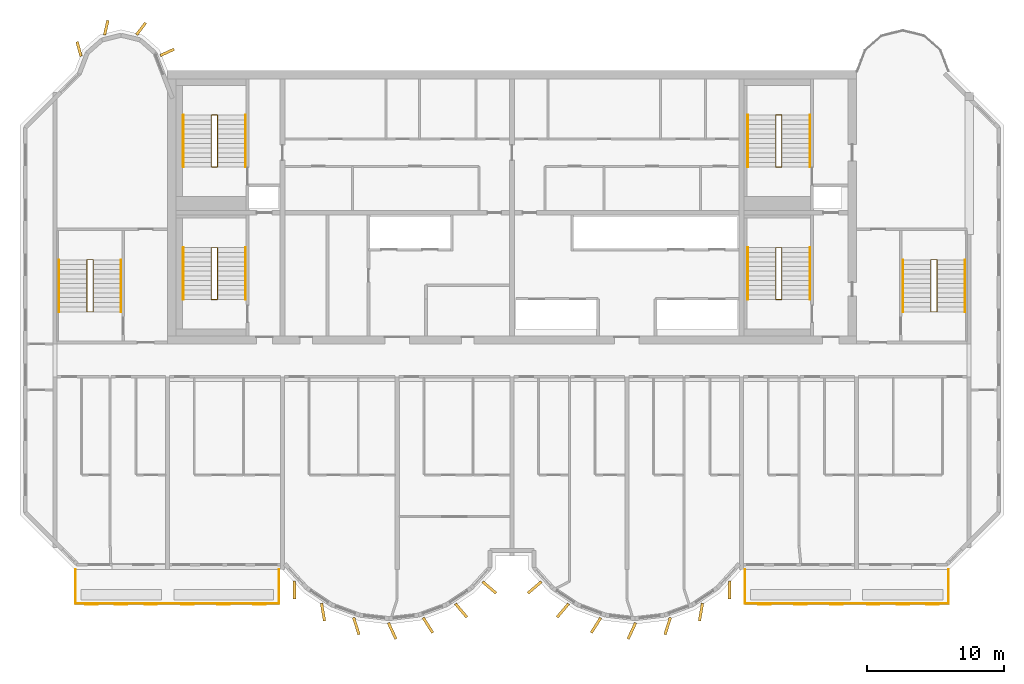
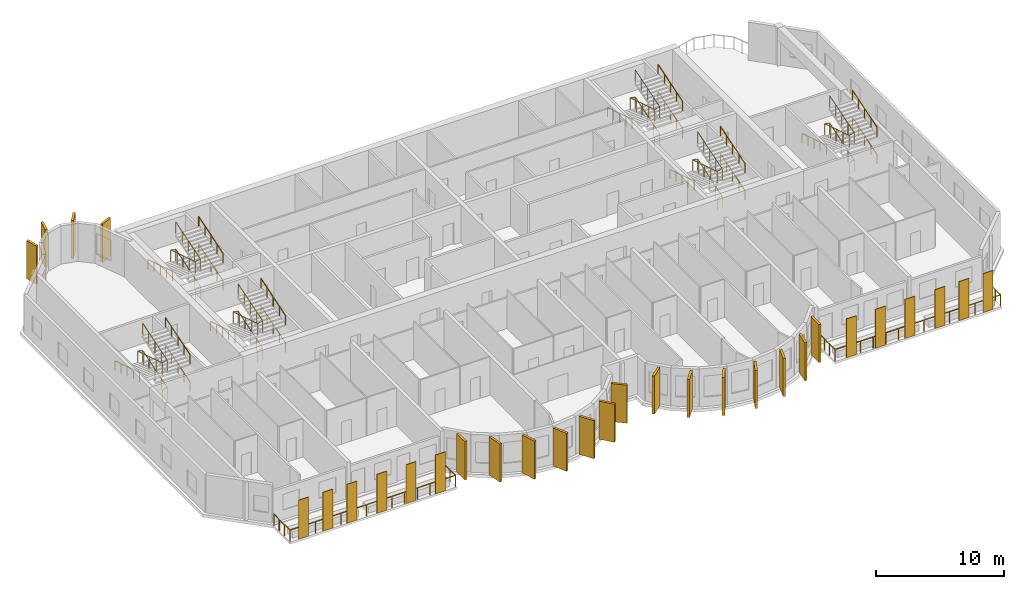
# One storey, part 10 of 12: 30 coverings, 26 railings.
"""IFC4 building model written with IfcOpenShell, lengths in metres."""

from ifc_helpers import new_model, si_unit, direction, frame, origin, origin_2d, place, context, subcontext, project, spatial, rectangle, circle, extrude, source, transform, mapped, material, layer, layer_set, material_profile, profile_set, type_object, element, save


model = new_model("IFC4")

# Units and contexts
model_context = context("Model", 3, precision=1e-05, world=origin(), true_north=direction((0.0, 1.0)))
body_context = subcontext(model_context, "Body", "Model", "MODEL_VIEW")
ifc_project = project(units=[si_unit("LENGTHUNIT", "METRE"), si_unit("AREAUNIT", "SQUARE_METRE"), si_unit("VOLUMEUNIT", "CUBIC_METRE"), si_unit("PLANEANGLEUNIT", "RADIAN"), si_unit("MASSUNIT", "GRAM", prefix="KILO")], contexts=[model_context])

# Site, building, storey
site_placement = place(None, origin())
site = spatial("IfcSite", under=ifc_project, at=site_placement, CompositionType="ELEMENT")
building_placement = place(site_placement, origin())
building = spatial("IfcBuilding", under=site, at=building_placement, Name="Vanashikhar Sky Hotel", CompositionType="ELEMENT")
storey_placement = place(building_placement, frame((0.0, 0.0, 221.800048828125)))
storey = spatial("IfcBuildingStorey", under=building, at=storey_placement, Name="L53", CompositionType="ELEMENT", Elevation=221.800048828125)

# Railings
ifc_material_1 = material(Name="Stainless steel 316", Category="steel")
railing_type_1 = type_object("IfcRailingType", Name="Balcony guard 1100", PredefinedType="GUARDRAIL", material=ifc_material_1)
shared_shape_1 = source(origin(), body_context, "Body", "SweptSolid", [
    extrude(circle(Radius=0.02392578125, at=origin_2d()), frame((0.0, 0.0, 1.076171875), z_axis=(0.0, -1.0, 0.0), x_axis=(1.0, 0.0, 0.0)), (0.0, 0.0, 1.0), 2.5),
    extrude(circle(Radius=0.02392578125, at=origin_2d()), frame((0.0, -2.5, 1.076171875), z_axis=(1.0, 0.0, 0.0), x_axis=(0.0, 1.0, 0.0)), (0.0, 0.0, 1.0), 14.880126953125),
    extrude(circle(Radius=0.02392578125, at=origin_2d()), frame((14.880126953125, -2.5, 1.076171875), z_axis=(0.0, 1.0, 0.0), x_axis=(-1.0, 0.0, 0.0)), (0.0, 0.0, 1.0), 2.5),
    extrude(circle(Radius=0.02099609375, at=origin_2d()), origin(), (0.0, 0.0, 1.0), 1.052001953125),
    extrude(circle(Radius=0.02099609375, at=origin_2d()), frame((0.0, -0.833251953125, 0.0)), (0.0, 0.0, 1.0), 1.052001953125),
    extrude(circle(Radius=0.02099609375, at=origin_2d()), frame((0.0, -1.666748046875, 0.0)), (0.0, 0.0, 1.0), 1.052001953125),
    extrude(circle(Radius=0.02099609375, at=origin_2d()), frame((0.0, -2.5, 0.0)), (0.0, 0.0, 1.0), 1.052001953125),
    extrude(circle(Radius=0.02099609375, at=origin_2d()), frame((1.14453125, -2.5, 0.0)), (0.0, 0.0, 1.0), 1.052001953125),
    extrude(circle(Radius=0.02099609375, at=origin_2d()), frame((2.289306640625, -2.5, 0.0)), (0.0, 0.0, 1.0), 1.052001953125),
    extrude(circle(Radius=0.02099609375, at=origin_2d()), frame((3.433837890625, -2.5, 0.0)), (0.0, 0.0, 1.0), 1.052001953125),
    extrude(circle(Radius=0.02099609375, at=origin_2d()), frame((4.57861328125, -2.5, 0.0)), (0.0, 0.0, 1.0), 1.052001953125),
    extrude(circle(Radius=0.02099609375, at=origin_2d()), frame((5.72314453125, -2.5, 0.0)), (0.0, 0.0, 1.0), 1.052001953125),
    extrude(circle(Radius=0.02099609375, at=origin_2d()), frame((6.86767578125, -2.5, 0.0)), (0.0, 0.0, 1.0), 1.052001953125),
    extrude(circle(Radius=0.02099609375, at=origin_2d()), frame((8.012451171875, -2.5, 0.0)), (0.0, 0.0, 1.0), 1.052001953125),
    extrude(circle(Radius=0.02099609375, at=origin_2d()), frame((9.156982421875, -2.5, 0.0)), (0.0, 0.0, 1.0), 1.052001953125),
    extrude(circle(Radius=0.02099609375, at=origin_2d()), frame((10.301513671875, -2.5, 0.0)), (0.0, 0.0, 1.0), 1.052001953125),
    extrude(circle(Radius=0.02099609375, at=origin_2d()), frame((11.4462890625, -2.5, 0.0)), (0.0, 0.0, 1.0), 1.052001953125),
    extrude(circle(Radius=0.02099609375, at=origin_2d()), frame((12.5908203125, -2.5, 0.0)), (0.0, 0.0, 1.0), 1.052001953125),
    extrude(circle(Radius=0.02099609375, at=origin_2d()), frame((13.735595703125, -2.5, 0.0)), (0.0, 0.0, 1.0), 1.052001953125),
    extrude(circle(Radius=0.02099609375, at=origin_2d()), frame((14.880126953125, -2.5, 0.0)), (0.0, 0.0, 1.0), 1.052001953125),
    extrude(circle(Radius=0.02099609375, at=origin_2d()), frame((14.880126953125, -1.666748046875, 0.0)), (0.0, 0.0, 1.0), 1.052001953125),
    extrude(circle(Radius=0.02099609375, at=origin_2d()), frame((14.880126953125, -0.833251953125, 0.0)), (0.0, 0.0, 1.0), 1.052001953125),
    extrude(circle(Radius=0.02099609375, at=origin_2d()), frame((14.880126953125, 0.0, 0.0)), (0.0, 0.0, 1.0), 1.052001953125),
])
for number, where, name in (
    (1, (18.4599609375, 5.5, -0.050048828125), "Balcony guard"),
    (2, (67.4599609375, 5.5, -0.050048828125), "Balcony guard"),
):
    element("IfcRailing", number, at=place(storey_placement, frame(where)), inside=storey, type_object=railing_type_1, Name=name, PredefinedType="GUARDRAIL", context=body_context, shape_type="MappedRepresentation", body=[
        mapped(shared_shape_1, transform((0.0, 0.0, 0.0), scale=1.0)),
    ])

# Coverings
ifc_material_2 = material(Name="Terracotta", Category="masonry")
ifc_layer = layer(ifc_material_2, 0.06005859375)
ifc_layer_set = layer_set([ifc_layer], Name="Terracotta baguette screen")
covering_type_1 = type_object("IfcCoveringType", Name="Terracotta baguette screen", PredefinedType="CLADDING", material=ifc_layer_set)
shared_shape_2 = source(origin(), body_context, "Body", "SweptSolid", [
    extrude(rectangle(XDim=0.89990234375, YDim=0.06005859375, at=origin_2d()), origin(), (0.0, 0.0, 1.0), 3.699951171875),
])
for number, where, z_axis, x_axis, name in (
    (3, (19.63330078125, 2.929931640625, -0.0498046875), (0.0, 0.0, 1.0), (1.0, 0.0, 0.0), "Terracotta screen"),
    (4, (21.800048828125, 2.929931640625, -0.0498046875), (0.0, 0.0, 1.0), (1.0, 0.0, 0.0), "Terracotta screen"),
    (5, (23.966796875, 2.929931640625, -0.0498046875), (0.0, 0.0, 1.0), (1.0, 0.0, 0.0), "Terracotta screen"),
    (6, (26.666748046875, 2.929931640625, -0.0498046875), (0.0, 0.0, 1.0), (1.0, 0.0, 0.0), "Terracotta screen"),
    (7, (29.300048828125, 2.929931640625, -0.0498046875), (0.0, 0.0, 1.0), (1.0, 0.0, 0.0), "Terracotta screen"),
    (8, (31.933349609375, 2.929931640625, -0.0498046875), (0.0, 0.0, 1.0), (1.0, 0.0, 0.0), "Terracotta screen"),
    (9, (68.86669921875, 2.929931640625, -0.0498046875), (0.0, 0.0, 1.0), (1.0, 0.0, 0.0), "Terracotta screen"),
    (10, (71.5, 2.929931640625, -0.0498046875), (0.0, 0.0, 1.0), (1.0, 0.0, 0.0), "Terracotta screen"),
    (11, (74.13330078125, 2.929931640625, -0.0498046875), (0.0, 0.0, 1.0), (1.0, 0.0, 0.0), "Terracotta screen"),
    (12, (76.833251953125, 2.929931640625, -0.0498046875), (0.0, 0.0, 1.0), (1.0, 0.0, 0.0), "Terracotta screen"),
    (13, (79.0, 2.929931640625, -0.0498046875), (0.0, 0.0, 1.0), (1.0, 0.0, 0.0), "Terracotta screen"),
    (14, (81.166748046875, 2.929931640625, -0.0498046875), (0.0, 0.0, 1.0), (1.0, 0.0, 0.0), "Terracotta screen"),
):
    element("IfcCovering", number, at=place(storey_placement, frame(where, z_axis=z_axis, x_axis=x_axis)), inside=storey, type_object=covering_type_1, Name=name, PredefinedType="CLADDING", context=body_context, shape_type="MappedRepresentation", body=[
        mapped(shared_shape_2, transform((0.0, 0.0, 0.0), scale=1.0)),
    ])
ifc_material_3 = material(Name="Concrete M60 dark", Category="concrete")
ifc_material_profile_1 = material_profile(ifc_material_3, rectangle(XDim=1.300048828125, YDim=0.199951171875, at=origin_2d()))
ifc_profile_set_1 = profile_set([ifc_material_profile_1], Name="Fin 1300 x 200")
covering_type_2 = type_object("IfcCoveringType", Name="Fin 1300 x 200", PredefinedType="CLADDING", material=ifc_profile_set_1)
shared_shape_3 = source(origin(), body_context, "Body", "SweptSolid", [
    extrude(rectangle(XDim=1.300048828125, YDim=0.199951171875, at=origin_2d()), origin(), (0.0, 0.0, 1.0), 3.619873046875),
])
for number, where, z_axis, x_axis, name in (
    (15, (34.482421875, 3.992919921875, 0.0), (0.0, 0.0, 1.0), (0.011588726826, -0.999932848451, 0.0), "Fin F1-1"),
    (16, (36.572509765625, 2.3779296875, 0.0), (0.0, 0.0, 1.0), (0.16989991575, -0.985461322746, 0.0), "Fin F1-2"),
    (17, (39.00830078125, 1.35693359375, 0.0), (0.0, 0.0, 1.0), (0.303966551867, -0.952682704444, 0.0), "Fin F1-3"),
    (18, (41.63232421875, 1.00146484375, 0.0), (0.0, 0.0, 1.0), (0.422618261741, -0.906307787037, 0.0), "Fin F1-4"),
    (19, (44.251953125, 1.416015625, 0.0), (0.0, 0.0, 1.0), (0.534411358496, -0.845224526331, 0.0), "Fin F1-5"),
    (20, (46.676025390625, 2.5, 0.0), (0.0, 0.0, 1.0), (0.645697609467, -0.763593214433, 0.0), "Fin F1-6"),
    (21, (48.7412109375, 4.1845703125, 0.0), (0.0, 0.0, 1.0), (0.758543912032, -0.65162192529, 0.0), "Fin F1-7"),
    (22, (52.058837890625, 4.1845703125, 0.0), (0.0, 0.0, 1.0), (-0.758543912032, -0.65162192529, 0.0), "Fin F2-1"),
    (23, (54.123779296875, 2.5, 0.0), (0.0, 0.0, 1.0), (-0.645697609467, -0.763593214433, 0.0), "Fin F2-2"),
    (24, (56.547119140625, 1.416015625, 0.0), (0.0, 0.0, 1.0), (-0.534411358496, -0.845224526331, 0.0), "Fin F2-3"),
    (25, (59.16748046875, 1.00146484375, 0.0), (0.0, 0.0, 1.0), (-0.422618261741, -0.906307787037, 0.0), "Fin F2-4"),
    (26, (61.790771484375, 1.35693359375, 0.0), (0.0, 0.0, 1.0), (-0.303966551867, -0.952682704444, 0.0), "Fin F2-5"),
    (27, (64.2275390625, 2.3779296875, 0.0), (0.0, 0.0, 1.0), (-0.16989991575, -0.985461322746, 0.0), "Fin F2-6"),
    (28, (66.317626953125, 3.992919921875, 0.0), (0.0, 0.0, 1.0), (-0.011588726826, -0.999932848451, 0.0), "Fin F2-7"),
):
    element("IfcCovering", number, at=place(storey_placement, frame(where, z_axis=z_axis, x_axis=x_axis)), inside=storey, type_object=covering_type_2, Name=name, PredefinedType="CLADDING", context=body_context, shape_type="MappedRepresentation", body=[
        mapped(shared_shape_3, transform((0.0, 0.0, 0.0), scale=1.0)),
    ])
ifc_material_profile_2 = material_profile(ifc_material_3, rectangle(XDim=1.10009765625, YDim=0.199951171875, at=origin_2d()))
ifc_profile_set_2 = profile_set([ifc_material_profile_2], Name="Rear lobe fin 1100 x 200")
covering_type_3 = type_object("IfcCoveringType", Name="Rear lobe fin 1100 x 200", PredefinedType="CLADDING", material=ifc_profile_set_2)
shared_shape_4 = source(origin(), body_context, "Body", "SweptSolid", [
    extrude(rectangle(XDim=1.10009765625, YDim=0.199951171875, at=origin_2d()), origin(), (0.0, 0.0, 1.0), 3.619873046875),
])
for number, where, z_axis, x_axis, name in (
    (29, (18.720703125, 43.580078125, 0.0), (0.0, 0.0, 1.0), (-0.262711264409, 0.964874495234, 0.0), "Fin R1-1"),
    (30, (20.710205078125, 45.1455078125, 0.0), (0.0, 0.0, 1.0), (0.224644935864, 0.974440687159, 0.0), "Fin R1-2"),
    (31, (23.261962890625, 45.06640625, 0.0), (0.0, 0.0, 1.0), (0.602065892195, 0.798446404874, 0.0), "Fin R1-3"),
    (32, (25.169677734375, 43.33447265625, 0.0), (0.0, 0.0, 1.0), (0.908004291068, 0.418960866193, 0.0), "Fin R1-4"),
):
    element("IfcCovering", number, at=place(storey_placement, frame(where, z_axis=z_axis, x_axis=x_axis)), inside=storey, type_object=covering_type_3, Name=name, PredefinedType="CLADDING", context=body_context, shape_type="MappedRepresentation", body=[
        mapped(shared_shape_4, transform((0.0, 0.0, 0.0), scale=1.0)),
    ])

# Railings
ifc_material_4 = material(Name="Steel S355", Category="steel")
railing_type_2 = type_object("IfcRailingType", Name="Stair handrail 900", PredefinedType="HANDRAIL", material=ifc_material_4)
shared_shape_5 = source(origin(), body_context, "Body", "SweptSolid", [
    extrude(circle(Radius=0.02392578125, at=origin_2d()), frame((0.0, 0.0, 0.8759765625), z_axis=(0.0, 0.95418390146, 0.299220791714), x_axis=(-1.0, 0.0, 0.0)), (0.0, 0.0, 1.0), 3.982421875),
    extrude(circle(Radius=0.02099609375, at=origin_2d()), origin(), (0.0, 0.0, 1.0), 0.851806640625),
    extrude(circle(Radius=0.02099609375, at=origin_2d()), frame((0.0, 0.949951171875, 0.2978515625)), (0.0, 0.0, 1.0), 0.851806640625),
    extrude(circle(Radius=0.02099609375, at=origin_2d()), frame((0.0, 1.89990234375, 0.595703125)), (0.0, 0.0, 1.0), 0.851806640625),
    extrude(circle(Radius=0.02099609375, at=origin_2d()), frame((0.0, 2.85009765625, 0.893798828125)), (0.0, 0.0, 1.0), 0.851806640625),
    extrude(circle(Radius=0.02099609375, at=origin_2d()), frame((0.0, 3.800048828125, 1.191650390625)), (0.0, 0.0, 1.0), 0.851806640625),
])
for number, where, name in (
    (33, (30.89990234375, 25.25, 0.1083984375), "Exit stair 1 handrail"),
    (34, (30.89990234375, 25.25, 2.708251953125), "Exit stair 1 handrail"),
    (35, (72.199951171875, 25.25, 0.1083984375), "Exit stair 2 handrail"),
    (36, (72.199951171875, 25.25, 2.708251953125), "Exit stair 2 handrail"),
    (37, (30.89990234375, 34.949951171875, 0.1083984375), "Exit stair 5 handrail"),
    (38, (30.89990234375, 34.949951171875, 2.708251953125), "Exit stair 5 handrail"),
    (39, (72.199951171875, 34.949951171875, 0.1083984375), "Exit stair 6 handrail"),
    (40, (72.199951171875, 34.949951171875, 2.708251953125), "Exit stair 6 handrail"),
):
    element("IfcRailing", number, at=place(storey_placement, frame(where)), inside=storey, type_object=railing_type_2, Name=name, PredefinedType="HANDRAIL", context=body_context, shape_type="MappedRepresentation", body=[
        mapped(shared_shape_5, transform((0.0, 0.0, 0.0), scale=1.0)),
    ])
shared_shape_6 = source(origin(), body_context, "Body", "SweptSolid", [
    extrude(circle(Radius=0.02392578125, at=origin_2d()), frame((0.0, 0.0, 0.8759765625), z_axis=(0.0, -0.95418390146, 0.299220791714), x_axis=(1.0, 0.0, 0.0)), (0.0, 0.0, 1.0), 3.982421875),
    extrude(circle(Radius=0.02099609375, at=origin_2d()), origin(), (0.0, 0.0, 1.0), 0.851806640625),
    extrude(circle(Radius=0.02099609375, at=origin_2d()), frame((0.0, -0.949951171875, 0.2978515625)), (0.0, 0.0, 1.0), 0.851806640625),
    extrude(circle(Radius=0.02099609375, at=origin_2d()), frame((0.0, -1.89990234375, 0.595703125)), (0.0, 0.0, 1.0), 0.851806640625),
    extrude(circle(Radius=0.02099609375, at=origin_2d()), frame((0.0, -2.85009765625, 0.893798828125)), (0.0, 0.0, 1.0), 0.851806640625),
    extrude(circle(Radius=0.02099609375, at=origin_2d()), frame((0.0, -3.800048828125, 1.191650390625)), (0.0, 0.0, 1.0), 0.851806640625),
])
for number, where, name in (
    (41, (26.35009765625, 29.050048828125, 1.408203125), "Exit stair 1 handrail"),
    (42, (67.64990234375, 29.050048828125, 1.408203125), "Exit stair 2 handrail"),
    (43, (26.35009765625, 38.75, 1.408203125), "Exit stair 5 handrail"),
    (44, (67.64990234375, 38.75, 1.408203125), "Exit stair 6 handrail"),
):
    element("IfcRailing", number, at=place(storey_placement, frame(where)), inside=storey, type_object=railing_type_2, Name=name, PredefinedType="HANDRAIL", context=body_context, shape_type="MappedRepresentation", body=[
        mapped(shared_shape_6, transform((0.0, 0.0, 0.0), scale=1.0)),
    ])
railing_type_3 = type_object("IfcRailingType", Name="Stair guard 1100", PredefinedType="GUARDRAIL", material=ifc_material_4)
shared_shape_7 = source(origin(), body_context, "Body", "SweptSolid", [
    extrude(circle(Radius=0.02392578125, at=origin_2d()), frame((0.0, 0.0, 1.076171875), z_axis=(0.972214749574, 0.0, 0.234090753151), x_axis=(0.0, 1.0, 0.0)), (0.0, 0.0, 1.0), 0.463134765625),
    extrude(circle(Radius=0.02392578125, at=origin_2d()), frame((0.4501953125, 0.0, 1.1845703125), z_axis=(0.0, 0.95418390146, 0.299220791714), x_axis=(-1.0, 0.0, 0.0)), (0.0, 0.0, 1.0), 3.982421875),
    extrude(circle(Radius=0.02392578125, at=origin_2d()), frame((0.4501953125, 3.800048828125, 2.3759765625), z_axis=(-0.972334627364, 0.0, 0.233592320999), x_axis=(0.0, -1.0, 0.0)), (0.0, 0.0, 1.0), 0.462890625),
    extrude(circle(Radius=0.02392578125, at=origin_2d()), frame((0.0, 3.800048828125, 2.484375), z_axis=(0.0, -0.95418390146, 0.299220791714), x_axis=(1.0, 0.0, 0.0)), (0.0, 0.0, 1.0), 3.982421875),
    extrude(circle(Radius=0.02392578125, at=origin_2d()), frame((0.0, 0.0, 3.67578125), z_axis=(0.972214749574, 0.0, 0.234090753151), x_axis=(0.0, 1.0, 0.0)), (0.0, 0.0, 1.0), 0.463134765625),
    extrude(circle(Radius=0.02392578125, at=origin_2d()), frame((0.4501953125, 0.0, 3.7841796875), z_axis=(0.0, 0.95418390146, 0.299220791714), x_axis=(-1.0, 0.0, 0.0)), (0.0, 0.0, 1.0), 3.982421875),
    extrude(circle(Radius=0.02099609375, at=origin_2d()), origin(), (0.0, 0.0, 1.0), 1.052001953125),
    extrude(circle(Radius=0.02099609375, at=origin_2d()), frame((0.4501953125, 0.0, 0.1083984375)), (0.0, 0.0, 1.0), 1.052001953125),
    extrude(circle(Radius=0.02099609375, at=origin_2d()), frame((0.4501953125, 0.949951171875, 0.40625)), (0.0, 0.0, 1.0), 1.052001953125),
    extrude(circle(Radius=0.02099609375, at=origin_2d()), frame((0.4501953125, 1.89990234375, 0.7041015625)), (0.0, 0.0, 1.0), 1.052001953125),
    extrude(circle(Radius=0.02099609375, at=origin_2d()), frame((0.4501953125, 2.85009765625, 1.002197265625)), (0.0, 0.0, 1.0), 1.052001953125),
    extrude(circle(Radius=0.02099609375, at=origin_2d()), frame((0.4501953125, 3.800048828125, 1.300048828125)), (0.0, 0.0, 1.0), 1.052001953125),
    extrude(circle(Radius=0.02099609375, at=origin_2d()), frame((0.0, 3.800048828125, 1.408203125)), (0.0, 0.0, 1.0), 1.052001953125),
    extrude(circle(Radius=0.02099609375, at=origin_2d()), frame((0.0, 2.85009765625, 1.7060546875)), (0.0, 0.0, 1.0), 1.052001953125),
    extrude(circle(Radius=0.02099609375, at=origin_2d()), frame((0.0, 1.89990234375, 2.00390625)), (0.0, 0.0, 1.0), 1.052001953125),
    extrude(circle(Radius=0.02099609375, at=origin_2d()), frame((0.0, 0.949951171875, 2.302001953125)), (0.0, 0.0, 1.0), 1.052001953125),
    extrude(circle(Radius=0.02099609375, at=origin_2d()), frame((0.0, 0.0, 2.599853515625)), (0.0, 0.0, 1.0), 1.052001953125),
    extrude(circle(Radius=0.02099609375, at=origin_2d()), frame((0.4501953125, 0.0, 2.708251953125)), (0.0, 0.0, 1.0), 1.052001953125),
    extrude(circle(Radius=0.02099609375, at=origin_2d()), frame((0.4501953125, 0.949951171875, 3.006103515625)), (0.0, 0.0, 1.0), 1.052001953125),
    extrude(circle(Radius=0.02099609375, at=origin_2d()), frame((0.4501953125, 1.89990234375, 3.30419921875)), (0.0, 0.0, 1.0), 1.052001953125),
    extrude(circle(Radius=0.02099609375, at=origin_2d()), frame((0.4501953125, 2.85009765625, 3.60205078125)), (0.0, 0.0, 1.0), 1.052001953125),
    extrude(circle(Radius=0.02099609375, at=origin_2d()), frame((0.4501953125, 3.800048828125, 3.89990234375)), (0.0, 0.0, 1.0), 1.052001953125),
])
for number, where, name in (
    (45, (28.39990234375, 25.25, 0.0), "Exit stair 1 guard"),
    (46, (28.39990234375, 34.949951171875, 0.0), "Exit stair 5 guard"),
):
    element("IfcRailing", number, at=place(storey_placement, frame(where)), inside=storey, type_object=railing_type_3, Name=name, PredefinedType="GUARDRAIL", context=body_context, shape_type="MappedRepresentation", body=[
        mapped(shared_shape_7, transform((0.0, 0.0, 0.0), scale=1.0)),
    ])
shared_shape_8 = source(origin(), body_context, "Body", "SweptSolid", [
    extrude(circle(Radius=0.02392578125, at=origin_2d()), frame((0.0, 0.0, 1.076171875), z_axis=(0.972185835864, 0.0, 0.234210803648), x_axis=(0.0, 1.0, 0.0)), (0.0, 0.0, 1.0), 0.462890625),
    extrude(circle(Radius=0.02392578125, at=origin_2d()), frame((0.449951171875, 0.0, 1.1845703125), z_axis=(0.0, 0.95418390146, 0.299220791714), x_axis=(-1.0, 0.0, 0.0)), (0.0, 0.0, 1.0), 3.982421875),
    extrude(circle(Radius=0.02392578125, at=origin_2d()), frame((0.449951171875, 3.800048828125, 2.3759765625), z_axis=(-0.972305833095, 0.0, 0.233712145448), x_axis=(0.0, -1.0, 0.0)), (0.0, 0.0, 1.0), 0.462646484375),
    extrude(circle(Radius=0.02392578125, at=origin_2d()), frame((0.0, 3.800048828125, 2.484375), z_axis=(0.0, -0.95418390146, 0.299220791714), x_axis=(1.0, 0.0, 0.0)), (0.0, 0.0, 1.0), 3.982421875),
    extrude(circle(Radius=0.02392578125, at=origin_2d()), frame((0.0, 0.0, 3.67578125), z_axis=(0.972185835864, 0.0, 0.234210803648), x_axis=(0.0, 1.0, 0.0)), (0.0, 0.0, 1.0), 0.462890625),
    extrude(circle(Radius=0.02392578125, at=origin_2d()), frame((0.449951171875, 0.0, 3.7841796875), z_axis=(0.0, 0.95418390146, 0.299220791714), x_axis=(-1.0, 0.0, 0.0)), (0.0, 0.0, 1.0), 3.982421875),
    extrude(circle(Radius=0.02099609375, at=origin_2d()), origin(), (0.0, 0.0, 1.0), 1.052001953125),
    extrude(circle(Radius=0.02099609375, at=origin_2d()), frame((0.449951171875, 0.0, 0.1083984375)), (0.0, 0.0, 1.0), 1.052001953125),
    extrude(circle(Radius=0.02099609375, at=origin_2d()), frame((0.449951171875, 0.949951171875, 0.40625)), (0.0, 0.0, 1.0), 1.052001953125),
    extrude(circle(Radius=0.02099609375, at=origin_2d()), frame((0.449951171875, 1.89990234375, 0.7041015625)), (0.0, 0.0, 1.0), 1.052001953125),
    extrude(circle(Radius=0.02099609375, at=origin_2d()), frame((0.449951171875, 2.85009765625, 1.002197265625)), (0.0, 0.0, 1.0), 1.052001953125),
    extrude(circle(Radius=0.02099609375, at=origin_2d()), frame((0.449951171875, 3.800048828125, 1.300048828125)), (0.0, 0.0, 1.0), 1.052001953125),
    extrude(circle(Radius=0.02099609375, at=origin_2d()), frame((0.0, 3.800048828125, 1.408203125)), (0.0, 0.0, 1.0), 1.052001953125),
    extrude(circle(Radius=0.02099609375, at=origin_2d()), frame((0.0, 2.85009765625, 1.7060546875)), (0.0, 0.0, 1.0), 1.052001953125),
    extrude(circle(Radius=0.02099609375, at=origin_2d()), frame((0.0, 1.89990234375, 2.00390625)), (0.0, 0.0, 1.0), 1.052001953125),
    extrude(circle(Radius=0.02099609375, at=origin_2d()), frame((0.0, 0.949951171875, 2.302001953125)), (0.0, 0.0, 1.0), 1.052001953125),
    extrude(circle(Radius=0.02099609375, at=origin_2d()), frame((0.0, 0.0, 2.599853515625)), (0.0, 0.0, 1.0), 1.052001953125),
    extrude(circle(Radius=0.02099609375, at=origin_2d()), frame((0.449951171875, 0.0, 2.708251953125)), (0.0, 0.0, 1.0), 1.052001953125),
    extrude(circle(Radius=0.02099609375, at=origin_2d()), frame((0.449951171875, 0.949951171875, 3.006103515625)), (0.0, 0.0, 1.0), 1.052001953125),
    extrude(circle(Radius=0.02099609375, at=origin_2d()), frame((0.449951171875, 1.89990234375, 3.30419921875)), (0.0, 0.0, 1.0), 1.052001953125),
    extrude(circle(Radius=0.02099609375, at=origin_2d()), frame((0.449951171875, 2.85009765625, 3.60205078125)), (0.0, 0.0, 1.0), 1.052001953125),
    extrude(circle(Radius=0.02099609375, at=origin_2d()), frame((0.449951171875, 3.800048828125, 3.89990234375)), (0.0, 0.0, 1.0), 1.052001953125),
])
for number, where, name in (
    (47, (69.699951171875, 25.25, 0.0), "Exit stair 2 guard"),
    (48, (69.699951171875, 34.949951171875, 0.0), "Exit stair 6 guard"),
):
    element("IfcRailing", number, at=place(storey_placement, frame(where)), inside=storey, type_object=railing_type_3, Name=name, PredefinedType="GUARDRAIL", context=body_context, shape_type="MappedRepresentation", body=[
        mapped(shared_shape_8, transform((0.0, 0.0, 0.0), scale=1.0)),
    ])
shared_shape_9 = source(origin(), body_context, "Body", "SweptSolid", [
    extrude(circle(Radius=0.02392578125, at=origin_2d()), frame((0.0, 0.0, 0.8759765625), z_axis=(0.0, 0.954178412317, 0.299238295459), x_axis=(-1.0, 0.0, 0.0)), (0.0, 0.0, 1.0), 3.982177734375),
    extrude(circle(Radius=0.02099609375, at=origin_2d()), origin(), (0.0, 0.0, 1.0), 0.851806640625),
    extrude(circle(Radius=0.02099609375, at=origin_2d()), frame((0.0, 0.949951171875, 0.2978515625)), (0.0, 0.0, 1.0), 0.851806640625),
    extrude(circle(Radius=0.02099609375, at=origin_2d()), frame((0.0, 1.89990234375, 0.595703125)), (0.0, 0.0, 1.0), 0.851806640625),
    extrude(circle(Radius=0.02099609375, at=origin_2d()), frame((0.0, 2.849853515625, 0.893798828125)), (0.0, 0.0, 1.0), 0.851806640625),
    extrude(circle(Radius=0.02099609375, at=origin_2d()), frame((0.0, 3.7998046875, 1.191650390625)), (0.0, 0.0, 1.0), 0.851806640625),
])
for number, where, name in (
    (49, (21.800048828125, 24.35009765625, 0.1083984375), "Exit stair 3 handrail"),
    (50, (21.800048828125, 24.35009765625, 2.708251953125), "Exit stair 3 handrail"),
    (51, (83.550048828125, 24.35009765625, 0.1083984375), "Exit stair 4 handrail"),
    (52, (83.550048828125, 24.35009765625, 2.708251953125), "Exit stair 4 handrail"),
):
    element("IfcRailing", number, at=place(storey_placement, frame(where)), inside=storey, type_object=railing_type_2, Name=name, PredefinedType="HANDRAIL", context=body_context, shape_type="MappedRepresentation", body=[
        mapped(shared_shape_9, transform((0.0, 0.0, 0.0), scale=1.0)),
    ])
shared_shape_10 = source(origin(), body_context, "Body", "SweptSolid", [
    extrude(circle(Radius=0.02392578125, at=origin_2d()), frame((0.0, 0.0, 0.8759765625), z_axis=(0.0, -0.954178412317, 0.299238295459), x_axis=(1.0, 0.0, 0.0)), (0.0, 0.0, 1.0), 3.982177734375),
    extrude(circle(Radius=0.02099609375, at=origin_2d()), origin(), (0.0, 0.0, 1.0), 0.851806640625),
    extrude(circle(Radius=0.02099609375, at=origin_2d()), frame((0.0, -0.949951171875, 0.2978515625)), (0.0, 0.0, 1.0), 0.851806640625),
    extrude(circle(Radius=0.02099609375, at=origin_2d()), frame((0.0, -1.89990234375, 0.595703125)), (0.0, 0.0, 1.0), 0.851806640625),
    extrude(circle(Radius=0.02099609375, at=origin_2d()), frame((0.0, -2.849853515625, 0.893798828125)), (0.0, 0.0, 1.0), 0.851806640625),
    extrude(circle(Radius=0.02099609375, at=origin_2d()), frame((0.0, -3.7998046875, 1.191650390625)), (0.0, 0.0, 1.0), 0.851806640625),
])
for number, where, name in (
    (53, (17.25, 28.14990234375, 1.408203125), "Exit stair 3 handrail"),
    (54, (79.0, 28.14990234375, 1.408203125), "Exit stair 4 handrail"),
):
    element("IfcRailing", number, at=place(storey_placement, frame(where)), inside=storey, type_object=railing_type_2, Name=name, PredefinedType="HANDRAIL", context=body_context, shape_type="MappedRepresentation", body=[
        mapped(shared_shape_10, transform((0.0, 0.0, 0.0), scale=1.0)),
    ])
shared_shape_11 = source(origin(), body_context, "Body", "SweptSolid", [
    extrude(circle(Radius=0.02392578125, at=origin_2d()), frame((0.0, 0.0, 1.076171875), z_axis=(0.972185835864, 0.0, 0.234210803648), x_axis=(0.0, 1.0, 0.0)), (0.0, 0.0, 1.0), 0.462890625),
    extrude(circle(Radius=0.02392578125, at=origin_2d()), frame((0.449951171875, 0.0, 1.1845703125), z_axis=(0.0, 0.954178412317, 0.299238295459), x_axis=(-1.0, 0.0, 0.0)), (0.0, 0.0, 1.0), 3.982177734375),
    extrude(circle(Radius=0.02392578125, at=origin_2d()), frame((0.449951171875, 3.7998046875, 2.3759765625), z_axis=(-0.972305833095, 0.0, 0.233712145448), x_axis=(0.0, -1.0, 0.0)), (0.0, 0.0, 1.0), 0.462646484375),
    extrude(circle(Radius=0.02392578125, at=origin_2d()), frame((0.0, 3.7998046875, 2.484375), z_axis=(0.0, -0.954178412317, 0.299238295459), x_axis=(1.0, 0.0, 0.0)), (0.0, 0.0, 1.0), 3.982177734375),
    extrude(circle(Radius=0.02392578125, at=origin_2d()), frame((0.0, 0.0, 3.67578125), z_axis=(0.972185835864, 0.0, 0.234210803648), x_axis=(0.0, 1.0, 0.0)), (0.0, 0.0, 1.0), 0.462890625),
    extrude(circle(Radius=0.02392578125, at=origin_2d()), frame((0.449951171875, 0.0, 3.7841796875), z_axis=(0.0, 0.954178412317, 0.299238295459), x_axis=(-1.0, 0.0, 0.0)), (0.0, 0.0, 1.0), 3.982177734375),
    extrude(circle(Radius=0.02099609375, at=origin_2d()), origin(), (0.0, 0.0, 1.0), 1.052001953125),
    extrude(circle(Radius=0.02099609375, at=origin_2d()), frame((0.449951171875, 0.0, 0.1083984375)), (0.0, 0.0, 1.0), 1.052001953125),
    extrude(circle(Radius=0.02099609375, at=origin_2d()), frame((0.449951171875, 0.949951171875, 0.40625)), (0.0, 0.0, 1.0), 1.052001953125),
    extrude(circle(Radius=0.02099609375, at=origin_2d()), frame((0.449951171875, 1.89990234375, 0.7041015625)), (0.0, 0.0, 1.0), 1.052001953125),
    extrude(circle(Radius=0.02099609375, at=origin_2d()), frame((0.449951171875, 2.849853515625, 1.002197265625)), (0.0, 0.0, 1.0), 1.052001953125),
    extrude(circle(Radius=0.02099609375, at=origin_2d()), frame((0.449951171875, 3.7998046875, 1.300048828125)), (0.0, 0.0, 1.0), 1.052001953125),
    extrude(circle(Radius=0.02099609375, at=origin_2d()), frame((0.0, 3.7998046875, 1.408203125)), (0.0, 0.0, 1.0), 1.052001953125),
    extrude(circle(Radius=0.02099609375, at=origin_2d()), frame((0.0, 2.849853515625, 1.7060546875)), (0.0, 0.0, 1.0), 1.052001953125),
    extrude(circle(Radius=0.02099609375, at=origin_2d()), frame((0.0, 1.89990234375, 2.00390625)), (0.0, 0.0, 1.0), 1.052001953125),
    extrude(circle(Radius=0.02099609375, at=origin_2d()), frame((0.0, 0.949951171875, 2.302001953125)), (0.0, 0.0, 1.0), 1.052001953125),
    extrude(circle(Radius=0.02099609375, at=origin_2d()), frame((0.0, 0.0, 2.599853515625)), (0.0, 0.0, 1.0), 1.052001953125),
    extrude(circle(Radius=0.02099609375, at=origin_2d()), frame((0.449951171875, 0.0, 2.708251953125)), (0.0, 0.0, 1.0), 1.052001953125),
    extrude(circle(Radius=0.02099609375, at=origin_2d()), frame((0.449951171875, 0.949951171875, 3.006103515625)), (0.0, 0.0, 1.0), 1.052001953125),
    extrude(circle(Radius=0.02099609375, at=origin_2d()), frame((0.449951171875, 1.89990234375, 3.30419921875)), (0.0, 0.0, 1.0), 1.052001953125),
    extrude(circle(Radius=0.02099609375, at=origin_2d()), frame((0.449951171875, 2.849853515625, 3.60205078125)), (0.0, 0.0, 1.0), 1.052001953125),
    extrude(circle(Radius=0.02099609375, at=origin_2d()), frame((0.449951171875, 3.7998046875, 3.89990234375)), (0.0, 0.0, 1.0), 1.052001953125),
])
for number, where, name in (
    (55, (19.300048828125, 24.35009765625, 0.0), "Exit stair 3 guard"),
    (56, (81.050048828125, 24.35009765625, 0.0), "Exit stair 4 guard"),
):
    element("IfcRailing", number, at=place(storey_placement, frame(where)), inside=storey, type_object=railing_type_3, Name=name, PredefinedType="GUARDRAIL", context=body_context, shape_type="MappedRepresentation", body=[
        mapped(shared_shape_11, transform((0.0, 0.0, 0.0), scale=1.0)),
    ])

save(model, "model.ifc")
